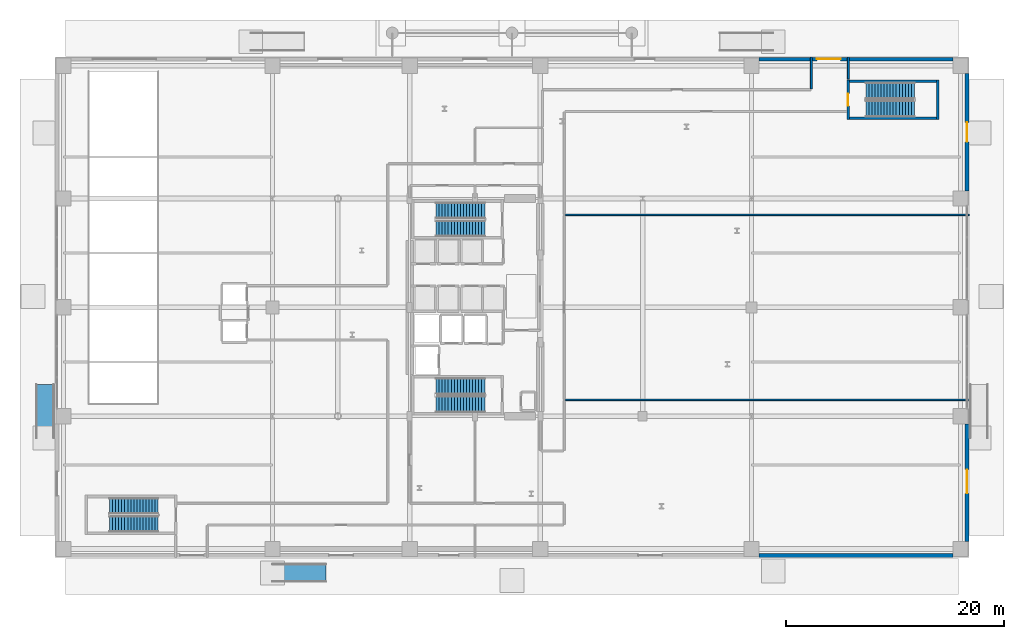
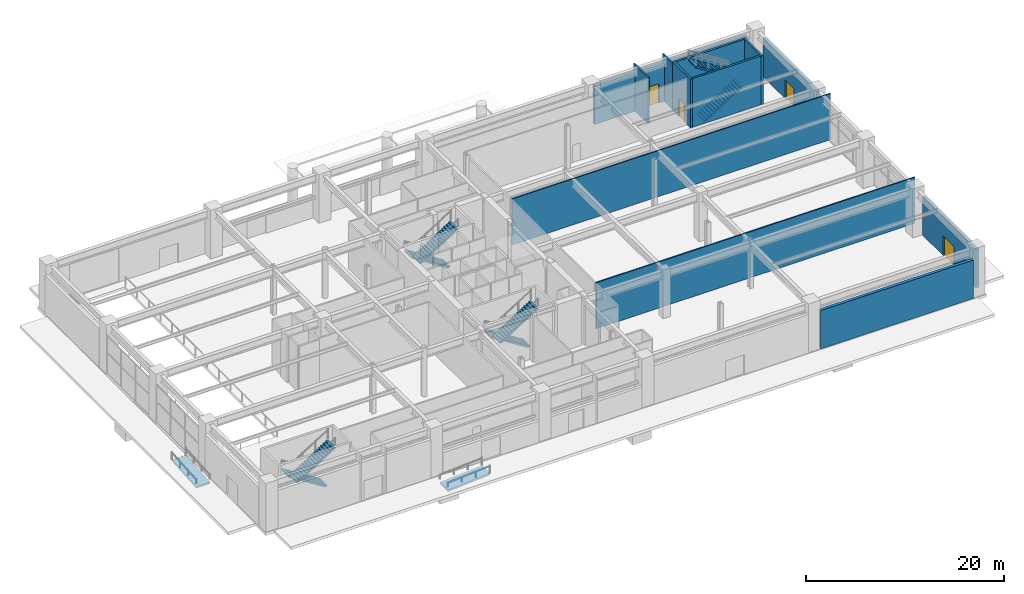
# One storey, part 23 of 31: 12 walls, 8 stair flights, 4 doors, 2 ramp flights, 4 openings, 6 elements without a shape of their own.
"""IFC4 building model written with IfcOpenShell, lengths in metres."""

from ifc_helpers import new_model, si_unit, direction, frame, frame_2d, origin, place, context, subcontext, project, spatial, polyline, rectangle, outline, extrude, material, layer, layer_set, type_object, element, fill, aggregate, save


model = new_model("IFC4")

# Units and contexts
model_context = context("Model", 3, precision=1e-05, world=origin(), true_north=direction((0.0, 1.0)))
body_context = subcontext(model_context, "Body", "Model", "MODEL_VIEW")
ifc_project = project(units=[si_unit("LENGTHUNIT", "METRE"), si_unit("AREAUNIT", "SQUARE_METRE"), si_unit("VOLUMEUNIT", "CUBIC_METRE"), si_unit("PLANEANGLEUNIT", "RADIAN"), si_unit("MASSUNIT", "GRAM", prefix="KILO")], contexts=[model_context])

# Site, building, storey
site_placement = place(None, origin())
site = spatial("IfcSite", under=ifc_project, at=site_placement, CompositionType="ELEMENT")
building_placement = place(site_placement, origin())
building = spatial("IfcBuilding", under=site, at=building_placement, Name="Soratama Intermodal Tower", CompositionType="ELEMENT")
storey_placement = place(building_placement, origin())
storey = spatial("IfcBuildingStorey", under=building, at=storey_placement, Name="L00", CompositionType="ELEMENT", Elevation=0.0)

# Wall, opening, door
ifc_material_1 = material(Name="Concrete f'c 42 MPa", Category="concrete")
ifc_layer_1 = layer(ifc_material_1, 0.340087890625)
ifc_layer_set_1 = layer_set([ifc_layer_1], Name="Concrete f'c 42 MPa")
wall_type_1 = type_object("IfcWallType", Name="EW-STONE-340", PredefinedType="SOLIDWALL", material=ifc_layer_set_1)
wall_1_placement = place(storey_placement, frame((64.699951171875, 47.800048828125, 0.0), z_axis=(0.0, 0.0, 1.0), x_axis=(1.0, 0.0, 0.0)))
wall_1 = element("IfcWall", 1, at=wall_1_placement, inside=storey, type_object=wall_type_1, Name="L00 North East Facade Wall", PredefinedType="SOLIDWALL", context=body_context, shape_type="SweptSolid", body=[
    extrude(rectangle(XDim=17.800048828125, YDim=0.340087890625, at=frame_2d((8.89990234375, 0.0))), origin(), (0.0, 0.0, 1.0), 4.736083984375),
])
opening_1_placement = place(wall_1_placement, frame((5.300048828125, 0.0, 0.0)))
opening_1 = element("IfcOpeningElement", 2, at=opening_1_placement, cuts=wall_1, Name="Opening ED-1", PredefinedType="OPENING", context=body_context, shape_type="SweptSolid", body=[
    extrude(rectangle(XDim=2.199951171875, YDim=2.39990234375, at=frame_2d((1.10009765625, 1.199951171875))), frame((0.0, 0.179931640625, 0.0), z_axis=(0.0, -1.0, 0.0), x_axis=(1.0, 0.0, 0.0)), (0.0, 0.0, 1.0), 0.360107421875),
])
ifc_material_2 = material(Name="Double-glazed aluminium door", Category="aluminium")
door_type_1 = type_object("IfcDoorType", Name="DR-EXIT-2200", OperationType="NOTDEFINED", PredefinedType="DOOR", material=ifc_material_2)
door_1_placement = place(opening_1_placement, origin())
door_1 = element("IfcDoor", 3, at=door_1_placement, inside=storey, type_object=door_type_1, Name="L00 Stair ST-4 North Exit Discharge Door", OperationType="SINGLE_SWING_LEFT", OverallHeight=2.39990234375, OverallWidth=2.199951171875, PredefinedType="DOOR", context=body_context, shape_type="SweptSolid", body=[
    extrude(rectangle(XDim=2.199951171875, YDim=2.39990234375, at=frame_2d((1.10009765625, 1.199951171875))), frame((0.0, 0.02490234375, 0.0), z_axis=(0.0, -1.0, 0.0), x_axis=(1.0, 0.0, 0.0)), (0.0, 0.0, 1.0), 0.050048828125),
])
fill(opening_1, door_1)

# Wall
wall_2_placement = place(storey_placement, frame((82.5, 2.199951171875, 0.0), z_axis=(0.0, 0.0, 1.0), x_axis=(-1.0, 0.0, 0.0)))
element("IfcWall", 4, at=wall_2_placement, inside=storey, type_object=wall_type_1, Name="L00 South East Facade Wall", PredefinedType="SOLIDWALL", context=body_context, shape_type="SweptSolid", body=[
    extrude(rectangle(XDim=17.800048828125, YDim=0.340087890625, at=frame_2d((8.89990234375, 0.0))), origin(), (0.0, 0.0, 1.0), 4.736083984375),
])

# Wall, opening, door
wall_3_placement = place(storey_placement, frame((83.800048828125, 14.300048828125, 0.0), z_axis=(0.0, 0.0, 1.0), x_axis=(0.0, -1.0, 0.0)))
wall_3 = element("IfcWall", 5, at=wall_3_placement, inside=storey, type_object=wall_type_1, Name="L00 East South Wall", PredefinedType="SOLIDWALL", context=body_context, shape_type="SweptSolid", body=[
    extrude(rectangle(XDim=10.800048828125, YDim=0.340087890625, at=frame_2d((5.39990234375, 0.0))), origin(), (0.0, 0.0, 1.0), 4.736083984375),
])
opening_2_placement = place(wall_3_placement, frame((4.199951171875, 0.0, 0.0)))
opening_2 = element("IfcOpeningElement", 6, at=opening_2_placement, cuts=wall_3, Name="Opening ED-1", PredefinedType="OPENING", context=body_context, shape_type="SweptSolid", body=[
    extrude(rectangle(XDim=2.199951171875, YDim=2.39990234375, at=frame_2d((1.10009765625, 1.199951171875))), frame((0.0, 0.179931640625, 0.0), z_axis=(0.0, -1.0, 0.0), x_axis=(1.0, 0.0, 0.0)), (0.0, 0.0, 1.0), 0.360107421875),
])
door_2_placement = place(opening_2_placement, origin())
door_2 = element("IfcDoor", 7, at=door_2_placement, inside=storey, type_object=door_type_1, Name="L00 East BRT Exit Door", OperationType="SINGLE_SWING_LEFT", OverallHeight=2.39990234375, OverallWidth=2.199951171875, PredefinedType="DOOR", context=body_context, shape_type="SweptSolid", body=[
    extrude(rectangle(XDim=2.199951171875, YDim=2.39990234375, at=frame_2d((1.10009765625, 1.199951171875))), frame((0.0, 0.02490234375, 0.0), z_axis=(0.0, -1.0, 0.0), x_axis=(1.0, 0.0, 0.0)), (0.0, 0.0, 1.0), 0.050048828125),
])
fill(opening_2, door_2)

wall_4_placement = place(storey_placement, frame((83.800048828125, 46.5, 0.0), z_axis=(0.0, 0.0, 1.0), x_axis=(0.0, -1.0, 0.0)))
wall_4 = element("IfcWall", 8, at=wall_4_placement, inside=storey, type_object=wall_type_1, Name="L00 East North Wall", PredefinedType="SOLIDWALL", context=body_context, shape_type="SweptSolid", body=[
    extrude(rectangle(XDim=10.800048828125, YDim=0.340087890625, at=frame_2d((5.39990234375, 0.0))), origin(), (0.0, 0.0, 1.0), 4.736083984375),
])
opening_3_placement = place(wall_4_placement, frame((4.5, 0.0, 0.0)))
opening_3 = element("IfcOpeningElement", 9, at=opening_3_placement, cuts=wall_4, Name="Opening ED-4", PredefinedType="OPENING", context=body_context, shape_type="SweptSolid", body=[
    extrude(rectangle(XDim=1.800048828125, YDim=2.300048828125, at=frame_2d((0.89990234375, 1.14990234375))), frame((0.0, 0.179931640625, 0.0), z_axis=(0.0, -1.0, 0.0), x_axis=(1.0, 0.0, 0.0)), (0.0, 0.0, 1.0), 0.360107421875),
])
ifc_material_3 = material(Name="Double-glazed aluminium door", Category="aluminium")
door_type_2 = type_object("IfcDoorType", Name="DR-EXIT-1800", OperationType="NOTDEFINED", PredefinedType="DOOR", material=ifc_material_3)
door_3_placement = place(opening_3_placement, origin())
door_3 = element("IfcDoor", 10, at=door_3_placement, inside=storey, type_object=door_type_2, Name="L00 East Retail Exit Door", OperationType="SINGLE_SWING_LEFT", OverallHeight=2.300048828125, OverallWidth=1.800048828125, PredefinedType="DOOR", context=body_context, shape_type="SweptSolid", body=[
    extrude(rectangle(XDim=1.800048828125, YDim=2.300048828125, at=frame_2d((0.89990234375, 1.14990234375))), frame((0.0, 0.02490234375, 0.0), z_axis=(0.0, -1.0, 0.0), x_axis=(1.0, 0.0, 0.0)), (0.0, 0.0, 1.0), 0.050048828125),
])
fill(opening_3, door_3)

# Walls
ifc_material_4 = material(Name="Fire-rated gypsum stud partition", Category="concrete")
ifc_layer_2 = layer(ifc_material_4, 0.169921875)
ifc_layer_set_2 = layer_set([ifc_layer_2], Name="Fire-rated gypsum stud partition")
wall_type_2 = type_object("IfcWallType", Name="IW-PART-R170", PredefinedType="PARTITIONING", material=ifc_layer_set_2)
wall_5_placement = place(storey_placement, frame((69.5, 45.070068359375, 0.0), z_axis=(0.0, 0.0, 1.0), x_axis=(0.0, 1.0, 0.0)))
element("IfcWall", 11, at=wall_5_placement, inside=storey, type_object=wall_type_2, Name="L00 Partition W-L00-TP031", PredefinedType="PARTITIONING", context=body_context, shape_type="SweptSolid", body=[
    extrude(rectangle(XDim=2.929931640625, YDim=0.169921875, at=frame_2d((1.46484375, 0.0))), origin(), (0.0, 0.0, 1.0), 5.679931640625),
])
wall_6_placement = place(storey_placement, frame((72.89990234375, 48.0, 0.0), z_axis=(0.0, 0.0, 1.0), x_axis=(0.0, -1.0, 0.0)))
element("IfcWall", 12, at=wall_6_placement, inside=storey, type_object=wall_type_2, Name="L00 Partition W-L00-TP035", PredefinedType="PARTITIONING", context=body_context, shape_type="SweptSolid", body=[
    extrude(rectangle(XDim=2.030029296875, YDim=0.169921875, at=frame_2d((1.01513671875, 0.0))), origin(), (0.0, 0.0, 1.0), 5.679931640625),
])
ifc_material_5 = material(Name="Fire-rated gypsum stud partition", Category="concrete")
ifc_layer_3 = layer(ifc_material_5, 0.1298828125)
ifc_layer_set_3 = layer_set([ifc_layer_3], Name="Fire-rated gypsum stud partition")
wall_type_3 = type_object("IfcWallType", Name="IW-PART-S130", PredefinedType="PARTITIONING", material=ifc_layer_set_3)
wall_7_placement = place(storey_placement, frame((46.8701171875, 33.5, 0.0), z_axis=(0.0, 0.0, 1.0), x_axis=(1.0, 0.0, 0.0)))
element("IfcWall", 13, at=wall_7_placement, inside=storey, type_object=wall_type_3, Name="L00 Partition W-L00-TP002", PredefinedType="PARTITIONING", context=body_context, shape_type="SweptSolid", body=[
    extrude(rectangle(XDim=37.1298828125, YDim=0.1298828125, at=frame_2d((18.56494140625, 0.0))), origin(), (0.0, 0.0, 1.0), 5.679931640625),
])
ifc_material_6 = material(Name="Fire-rated gypsum stud partition", Category="concrete")
ifc_layer_4 = layer(ifc_material_6, 0.139892578125)
ifc_layer_set_4 = layer_set([ifc_layer_4], Name="Fire-rated gypsum stud partition")
wall_type_4 = type_object("IfcWallType", Name="IW-PART-S140", PredefinedType="PARTITIONING", material=ifc_layer_set_4)
wall_8_placement = place(storey_placement, frame((46.8701171875, 16.5, 0.0), z_axis=(0.0, 0.0, 1.0), x_axis=(1.0, 0.0, 0.0)))
element("IfcWall", 14, at=wall_8_placement, inside=storey, type_object=wall_type_4, Name="L00 Partition W-L00-TP001", PredefinedType="PARTITIONING", context=body_context, shape_type="SweptSolid", body=[
    extrude(rectangle(XDim=37.1298828125, YDim=0.139892578125, at=frame_2d((18.56494140625, 0.0))), origin(), (0.0, 0.0, 1.0), 5.679931640625),
])

# Wall, opening, door
ifc_material_7 = material(Name="Concrete f'c 56 MPa", Category="concrete")
ifc_layer_5 = layer(ifc_material_7, 0.239990234375)
ifc_layer_set_5 = layer_set([ifc_layer_5], Name="Concrete f'c 56 MPa")
wall_type_5 = type_object("IfcWallType", Name="SW-STAIR-240", PredefinedType="SHEAR", material=ifc_layer_set_5)
wall_9_placement = place(storey_placement, frame((72.8798828125, 42.260009765625, 0.0), z_axis=(0.0, 0.0, 1.0), x_axis=(0.0, 1.0, 0.0)))
wall_9 = element("IfcWall", 15, at=wall_9_placement, inside=storey, type_object=wall_type_5, Name="L00 ST-4 Shaft Shear Wall W", PredefinedType="SHEAR", context=body_context, shape_type="SweptSolid", body=[
    extrude(rectangle(XDim=3.6298828125, YDim=0.239990234375, at=frame_2d((1.81494140625, 0.0))), origin(), (0.0, 0.0, 1.0), 6.0),
])
opening_4_placement = place(wall_9_placement, frame((1.2548828125, 0.0, 0.0)))
opening_4 = element("IfcOpeningElement", 16, at=opening_4_placement, cuts=wall_9, Name="Opening SD-1", PredefinedType="OPENING", context=body_context, shape_type="SweptSolid", body=[
    extrude(rectangle(XDim=1.1201171875, YDim=2.14990234375, at=frame_2d((0.56005859375, 1.074951171875))), frame((0.0, 0.1298828125, 0.0), z_axis=(0.0, -1.0, 0.0), x_axis=(1.0, 0.0, 0.0)), (0.0, 0.0, 1.0), 0.260009765625),
])
ifc_material_8 = material(Name="Steel fire door", Category="steel")
door_type_3 = type_object("IfcDoorType", Name="DR-STAIR-FD90", OperationType="NOTDEFINED", PredefinedType="DOOR", material=ifc_material_8)
door_4_placement = place(opening_4_placement, origin())
door_4 = element("IfcDoor", 17, at=door_4_placement, inside=storey, type_object=door_type_3, Name="L00 ST-4 Exit Stair Door", OperationType="SINGLE_SWING_RIGHT", OverallHeight=2.14990234375, OverallWidth=1.1201171875, PredefinedType="DOOR", context=body_context, shape_type="SweptSolid", body=[
    extrude(rectangle(XDim=1.1201171875, YDim=2.14990234375, at=frame_2d((0.56005859375, 1.074951171875))), frame((0.0, 0.02490234375, 0.0), z_axis=(0.0, -1.0, 0.0), x_axis=(1.0, 0.0, 0.0)), (0.0, 0.0, 1.0), 0.050048828125),
])
fill(opening_4, door_4)

# Walls
wall_10_placement = place(storey_placement, frame((81.1201171875, 42.260009765625, 0.0), z_axis=(0.0, 0.0, 1.0), x_axis=(0.0, 1.0, 0.0)))
element("IfcWall", 18, at=wall_10_placement, inside=storey, type_object=wall_type_5, Name="L00 ST-4 Shaft Shear Wall E", PredefinedType="SHEAR", context=body_context, shape_type="SweptSolid", body=[
    extrude(rectangle(XDim=3.6298828125, YDim=0.239990234375, at=frame_2d((1.81494140625, 0.0))), origin(), (0.0, 0.0, 1.0), 6.0),
])
for number, where, z_axis, x_axis, name in (
    (19, (73.0, 42.3798828125, 0.0), (0.0, 0.0, 1.0), (1.0, 0.0, 0.0), "L00 ST-4 Shaft Shear Wall S"),
    (20, (73.0, 45.77001953125, 0.0), (0.0, 0.0, 1.0), (1.0, 0.0, 0.0), "L00 ST-4 Shaft Shear Wall N"),
):
    element("IfcWall", number, at=place(storey_placement, frame(where, z_axis=z_axis, x_axis=x_axis)), inside=storey, type_object=wall_type_5, Name=name, PredefinedType="SHEAR", context=body_context, shape_type="SweptSolid", body=[
        extrude(rectangle(XDim=8.0, YDim=0.239990234375, at=frame_2d((4.0, 0.0))), origin(), (0.0, 0.0, 1.0), 6.0),
    ])

# Stair, stair flights
ifc_material_9 = material(Name="Concrete f'c 42 MPa", Category="concrete")
stair_type = type_object("IfcStairType", Name="ST-CORE-DOGLEG", PredefinedType="HALF_TURN_STAIR", material=ifc_material_9)
stair_1_placement = place(storey_placement, origin())
stair_1 = element("IfcStair", 21, at=stair_1_placement, inside=storey, type_object=stair_type, Name="L00 ST-1", PredefinedType="HALF_TURN_STAIR")
ifc_material_10 = material(Name="Precast concrete f'c 40 MPa", Category="concrete")
ifc_layer_6 = layer(ifc_material_10, 0.199951171875)
ifc_layer_set_6 = layer_set([ifc_layer_6], Name="Precast concrete f'c 40 MPa")
stair_flight_type = type_object("IfcStairFlightType", Name="SF-FLIGHT-RC", PredefinedType="STRAIGHT", material=ifc_layer_set_6)
stair_flight_1_placement = place(storey_placement, frame((39.5, 17.75, 0.0), z_axis=(0.0, 0.0, 1.0), x_axis=(-1.0, 0.0, 0.0)))
stair_flight_1 = element("IfcStairFlight", 22, at=stair_flight_1_placement, type_object=stair_flight_type, Name="ST-1 flight 1", NumberOfRisers=17, NumberOfTreads=16, PredefinedType="STRAIGHT", RiserHeight=0.176470588, TreadLength=0.28, context=body_context, shape_type="SweptSolid", body=[
    extrude(outline(polyline([(0.0, 0.0), (0.0, 0.176513671875), (0.280029296875, 0.176513671875), (0.280029296875, 0.35302734375), (0.56005859375, 0.35302734375), (0.56005859375, 0.529296875), (0.840087890625, 0.529296875), (0.840087890625, 0.705810546875), (1.1201171875, 0.705810546875), (1.1201171875, 0.88232421875), (1.39990234375, 0.88232421875), (1.39990234375, 1.058837890625), (1.679931640625, 1.058837890625), (1.679931640625, 1.2353515625), (1.9599609375, 1.2353515625), (1.9599609375, 1.411865234375), (2.239990234375, 1.411865234375), (2.239990234375, 1.588134765625), (2.52001953125, 1.588134765625), (2.52001953125, 1.7646484375), (2.800048828125, 1.7646484375), (2.800048828125, 1.941162109375), (3.080078125, 1.941162109375), (3.080078125, 2.11767578125), (3.360107421875, 2.11767578125), (3.360107421875, 2.294189453125), (3.639892578125, 2.294189453125), (3.639892578125, 2.470703125), (3.919921875, 2.470703125), (3.919921875, 2.64697265625), (4.199951171875, 2.64697265625), (4.199951171875, 2.823486328125), (4.47998046875, 2.823486328125), (4.47998046875, 3.0), (4.47998046875, 2.646240234375), (0.28125, 0.0), (0.0, 0.0)])), frame((0.0, 0.75, 0.0), z_axis=(0.0, -1.0, 0.0), x_axis=(1.0, 0.0, 0.0)), (0.0, 0.0, 1.0), 1.5),
])
stair_flight_2_placement = place(storey_placement, frame((35.02001953125, 16.10009765625, 3.0), z_axis=(0.0, 0.0, 1.0), x_axis=(1.0, 0.0, 0.0)))
stair_flight_2 = element("IfcStairFlight", 23, at=stair_flight_2_placement, type_object=stair_flight_type, Name="ST-1 flight 2", NumberOfRisers=17, NumberOfTreads=16, PredefinedType="STRAIGHT", RiserHeight=0.176470588, TreadLength=0.28, context=body_context, shape_type="SweptSolid", body=[
    extrude(outline(polyline([(0.0, 0.0), (0.0, 0.176513671875), (0.280029296875, 0.176513671875), (0.280029296875, 0.35302734375), (0.56005859375, 0.35302734375), (0.56005859375, 0.529296875), (0.840087890625, 0.529296875), (0.840087890625, 0.705810546875), (1.1201171875, 0.705810546875), (1.1201171875, 0.88232421875), (1.39990234375, 0.88232421875), (1.39990234375, 1.058837890625), (1.679931640625, 1.058837890625), (1.679931640625, 1.2353515625), (1.9599609375, 1.2353515625), (1.9599609375, 1.411865234375), (2.239990234375, 1.411865234375), (2.239990234375, 1.588134765625), (2.52001953125, 1.588134765625), (2.52001953125, 1.7646484375), (2.800048828125, 1.7646484375), (2.800048828125, 1.941162109375), (3.080078125, 1.941162109375), (3.080078125, 2.11767578125), (3.360107421875, 2.11767578125), (3.360107421875, 2.294189453125), (3.639892578125, 2.294189453125), (3.639892578125, 2.470703125), (3.919921875, 2.470703125), (3.919921875, 2.64697265625), (4.199951171875, 2.64697265625), (4.199951171875, 2.823486328125), (4.47998046875, 2.823486328125), (4.47998046875, 3.0), (4.47998046875, 2.646240234375), (0.28125, 0.0), (0.0, 0.0)])), frame((0.0, 0.75, 0.0), z_axis=(0.0, -1.0, 0.0), x_axis=(1.0, 0.0, 0.0)), (0.0, 0.0, 1.0), 1.5),
])
aggregate(stair_1, [stair_flight_1, stair_flight_2])

stair_2_placement = place(storey_placement, origin())
stair_2 = element("IfcStair", 24, at=stair_2_placement, inside=storey, type_object=stair_type, Name="L00 ST-2", PredefinedType="HALF_TURN_STAIR")
stair_flight_3_placement = place(storey_placement, frame((39.5, 33.89990234375, 0.0), z_axis=(0.0, 0.0, 1.0), x_axis=(-1.0, 0.0, 0.0)))
stair_flight_3 = element("IfcStairFlight", 25, at=stair_flight_3_placement, type_object=stair_flight_type, Name="ST-2 flight 1", NumberOfRisers=17, NumberOfTreads=16, PredefinedType="STRAIGHT", RiserHeight=0.176470588, TreadLength=0.28, context=body_context, shape_type="SweptSolid", body=[
    extrude(outline(polyline([(0.0, 0.0), (0.0, 0.176513671875), (0.280029296875, 0.176513671875), (0.280029296875, 0.35302734375), (0.56005859375, 0.35302734375), (0.56005859375, 0.529296875), (0.840087890625, 0.529296875), (0.840087890625, 0.705810546875), (1.1201171875, 0.705810546875), (1.1201171875, 0.88232421875), (1.39990234375, 0.88232421875), (1.39990234375, 1.058837890625), (1.679931640625, 1.058837890625), (1.679931640625, 1.2353515625), (1.9599609375, 1.2353515625), (1.9599609375, 1.411865234375), (2.239990234375, 1.411865234375), (2.239990234375, 1.588134765625), (2.52001953125, 1.588134765625), (2.52001953125, 1.7646484375), (2.800048828125, 1.7646484375), (2.800048828125, 1.941162109375), (3.080078125, 1.941162109375), (3.080078125, 2.11767578125), (3.360107421875, 2.11767578125), (3.360107421875, 2.294189453125), (3.639892578125, 2.294189453125), (3.639892578125, 2.470703125), (3.919921875, 2.470703125), (3.919921875, 2.64697265625), (4.199951171875, 2.64697265625), (4.199951171875, 2.823486328125), (4.47998046875, 2.823486328125), (4.47998046875, 3.0), (4.47998046875, 2.646240234375), (0.28125, 0.0), (0.0, 0.0)])), frame((0.0, 0.75, 0.0), z_axis=(0.0, -1.0, 0.0), x_axis=(1.0, 0.0, 0.0)), (0.0, 0.0, 1.0), 1.5),
])
stair_flight_4_placement = place(storey_placement, frame((35.02001953125, 32.25, 3.0), z_axis=(0.0, 0.0, 1.0), x_axis=(1.0, 0.0, 0.0)))
stair_flight_4 = element("IfcStairFlight", 26, at=stair_flight_4_placement, type_object=stair_flight_type, Name="ST-2 flight 2", NumberOfRisers=17, NumberOfTreads=16, PredefinedType="STRAIGHT", RiserHeight=0.176470588, TreadLength=0.28, context=body_context, shape_type="SweptSolid", body=[
    extrude(outline(polyline([(0.0, 0.0), (0.0, 0.176513671875), (0.280029296875, 0.176513671875), (0.280029296875, 0.35302734375), (0.56005859375, 0.35302734375), (0.56005859375, 0.529296875), (0.840087890625, 0.529296875), (0.840087890625, 0.705810546875), (1.1201171875, 0.705810546875), (1.1201171875, 0.88232421875), (1.39990234375, 0.88232421875), (1.39990234375, 1.058837890625), (1.679931640625, 1.058837890625), (1.679931640625, 1.2353515625), (1.9599609375, 1.2353515625), (1.9599609375, 1.411865234375), (2.239990234375, 1.411865234375), (2.239990234375, 1.588134765625), (2.52001953125, 1.588134765625), (2.52001953125, 1.7646484375), (2.800048828125, 1.7646484375), (2.800048828125, 1.941162109375), (3.080078125, 1.941162109375), (3.080078125, 2.11767578125), (3.360107421875, 2.11767578125), (3.360107421875, 2.294189453125), (3.639892578125, 2.294189453125), (3.639892578125, 2.470703125), (3.919921875, 2.470703125), (3.919921875, 2.64697265625), (4.199951171875, 2.64697265625), (4.199951171875, 2.823486328125), (4.47998046875, 2.823486328125), (4.47998046875, 3.0), (4.47998046875, 2.646240234375), (0.28125, 0.0), (0.0, 0.0)])), frame((0.0, 0.75, 0.0), z_axis=(0.0, -1.0, 0.0), x_axis=(1.0, 0.0, 0.0)), (0.0, 0.0, 1.0), 1.5),
])
aggregate(stair_2, [stair_flight_3, stair_flight_4])

stair_3_placement = place(storey_placement, origin())
stair_3 = element("IfcStair", 27, at=stair_3_placement, inside=storey, type_object=stair_type, Name="L00 ST-3", PredefinedType="HALF_TURN_STAIR")
stair_flight_5_placement = place(storey_placement, frame((9.5, 6.75, 0.0), z_axis=(0.0, 0.0, 1.0), x_axis=(-1.0, 0.0, 0.0)))
stair_flight_5 = element("IfcStairFlight", 28, at=stair_flight_5_placement, type_object=stair_flight_type, Name="ST-3 flight 1", NumberOfRisers=17, NumberOfTreads=16, PredefinedType="STRAIGHT", RiserHeight=0.176470588, TreadLength=0.28, context=body_context, shape_type="SweptSolid", body=[
    extrude(outline(polyline([(0.0, 0.0), (0.0, 0.176513671875), (0.280029296875, 0.176513671875), (0.280029296875, 0.35302734375), (0.56005859375, 0.35302734375), (0.56005859375, 0.529296875), (0.840087890625, 0.529296875), (0.840087890625, 0.705810546875), (1.1201171875, 0.705810546875), (1.1201171875, 0.88232421875), (1.39990234375, 0.88232421875), (1.39990234375, 1.058837890625), (1.679931640625, 1.058837890625), (1.679931640625, 1.2353515625), (1.9599609375, 1.2353515625), (1.9599609375, 1.411865234375), (2.239990234375, 1.411865234375), (2.239990234375, 1.588134765625), (2.52001953125, 1.588134765625), (2.52001953125, 1.7646484375), (2.800048828125, 1.7646484375), (2.800048828125, 1.941162109375), (3.080078125, 1.941162109375), (3.080078125, 2.11767578125), (3.360107421875, 2.11767578125), (3.360107421875, 2.294189453125), (3.639892578125, 2.294189453125), (3.639892578125, 2.470703125), (3.919921875, 2.470703125), (3.919921875, 2.64697265625), (4.199951171875, 2.64697265625), (4.199951171875, 2.823486328125), (4.47998046875, 2.823486328125), (4.47998046875, 3.0), (4.47998046875, 2.646240234375), (0.28125, 0.0), (0.0, 0.0)])), frame((0.0, 0.75, 0.0), z_axis=(0.0, -1.0, 0.0), x_axis=(1.0, 0.0, 0.0)), (0.0, 0.0, 1.0), 1.5),
])
stair_flight_6_placement = place(storey_placement, frame((5.02001953125, 5.10009765625, 3.0), z_axis=(0.0, 0.0, 1.0), x_axis=(1.0, 0.0, 0.0)))
stair_flight_6 = element("IfcStairFlight", 29, at=stair_flight_6_placement, type_object=stair_flight_type, Name="ST-3 flight 2", NumberOfRisers=17, NumberOfTreads=16, PredefinedType="STRAIGHT", RiserHeight=0.176470588, TreadLength=0.28, context=body_context, shape_type="SweptSolid", body=[
    extrude(outline(polyline([(0.0, 0.0), (0.0, 0.176513671875), (0.280029296875, 0.176513671875), (0.280029296875, 0.35302734375), (0.56005859375, 0.35302734375), (0.56005859375, 0.529296875), (0.840087890625, 0.529296875), (0.840087890625, 0.705810546875), (1.1201171875, 0.705810546875), (1.1201171875, 0.88232421875), (1.39990234375, 0.88232421875), (1.39990234375, 1.058837890625), (1.679931640625, 1.058837890625), (1.679931640625, 1.2353515625), (1.9599609375, 1.2353515625), (1.9599609375, 1.411865234375), (2.239990234375, 1.411865234375), (2.239990234375, 1.588134765625), (2.52001953125, 1.588134765625), (2.52001953125, 1.7646484375), (2.800048828125, 1.7646484375), (2.800048828125, 1.941162109375), (3.080078125, 1.941162109375), (3.080078125, 2.11767578125), (3.360107421875, 2.11767578125), (3.360107421875, 2.294189453125), (3.639892578125, 2.294189453125), (3.639892578125, 2.470703125), (3.919921875, 2.470703125), (3.919921875, 2.64697265625), (4.199951171875, 2.64697265625), (4.199951171875, 2.823486328125), (4.47998046875, 2.823486328125), (4.47998046875, 3.0), (4.47998046875, 2.646240234375), (0.28125, 0.0), (0.0, 0.0)])), frame((0.0, 0.75, 0.0), z_axis=(0.0, -1.0, 0.0), x_axis=(1.0, 0.0, 0.0)), (0.0, 0.0, 1.0), 1.5),
])
aggregate(stair_3, [stair_flight_5, stair_flight_6])

stair_4_placement = place(storey_placement, origin())
stair_4 = element("IfcStair", 30, at=stair_4_placement, inside=storey, type_object=stair_type, Name="L00 ST-4", PredefinedType="HALF_TURN_STAIR")
stair_flight_7_placement = place(storey_placement, frame((74.5, 43.25, 0.0), z_axis=(0.0, 0.0, 1.0), x_axis=(1.0, 0.0, 0.0)))
stair_flight_7 = element("IfcStairFlight", 31, at=stair_flight_7_placement, type_object=stair_flight_type, Name="ST-4 flight 1", NumberOfRisers=17, NumberOfTreads=16, PredefinedType="STRAIGHT", RiserHeight=0.176470588, TreadLength=0.28, context=body_context, shape_type="SweptSolid", body=[
    extrude(outline(polyline([(0.0, 0.0), (0.0, 0.176513671875), (0.280029296875, 0.176513671875), (0.280029296875, 0.35302734375), (0.56005859375, 0.35302734375), (0.56005859375, 0.529296875), (0.840087890625, 0.529296875), (0.840087890625, 0.705810546875), (1.1201171875, 0.705810546875), (1.1201171875, 0.88232421875), (1.39990234375, 0.88232421875), (1.39990234375, 1.058837890625), (1.679931640625, 1.058837890625), (1.679931640625, 1.2353515625), (1.9599609375, 1.2353515625), (1.9599609375, 1.411865234375), (2.239990234375, 1.411865234375), (2.239990234375, 1.588134765625), (2.52001953125, 1.588134765625), (2.52001953125, 1.7646484375), (2.800048828125, 1.7646484375), (2.800048828125, 1.941162109375), (3.080078125, 1.941162109375), (3.080078125, 2.11767578125), (3.360107421875, 2.11767578125), (3.360107421875, 2.294189453125), (3.639892578125, 2.294189453125), (3.639892578125, 2.470703125), (3.919921875, 2.470703125), (3.919921875, 2.64697265625), (4.199951171875, 2.64697265625), (4.199951171875, 2.823486328125), (4.47998046875, 2.823486328125), (4.47998046875, 3.0), (4.47998046875, 2.646240234375), (0.28125, 0.0), (0.0, 0.0)])), frame((0.0, 0.75, 0.0), z_axis=(0.0, -1.0, 0.0), x_axis=(1.0, 0.0, 0.0)), (0.0, 0.0, 1.0), 1.5),
])
stair_flight_8_placement = place(storey_placement, frame((78.97998046875, 44.89990234375, 3.0), z_axis=(0.0, 0.0, 1.0), x_axis=(-1.0, 0.0, 0.0)))
stair_flight_8 = element("IfcStairFlight", 32, at=stair_flight_8_placement, type_object=stair_flight_type, Name="ST-4 flight 2", NumberOfRisers=17, NumberOfTreads=16, PredefinedType="STRAIGHT", RiserHeight=0.176470588, TreadLength=0.28, context=body_context, shape_type="SweptSolid", body=[
    extrude(outline(polyline([(0.0, 0.0), (0.0, 0.176513671875), (0.280029296875, 0.176513671875), (0.280029296875, 0.35302734375), (0.56005859375, 0.35302734375), (0.56005859375, 0.529296875), (0.840087890625, 0.529296875), (0.840087890625, 0.705810546875), (1.1201171875, 0.705810546875), (1.1201171875, 0.88232421875), (1.39990234375, 0.88232421875), (1.39990234375, 1.058837890625), (1.679931640625, 1.058837890625), (1.679931640625, 1.2353515625), (1.9599609375, 1.2353515625), (1.9599609375, 1.411865234375), (2.239990234375, 1.411865234375), (2.239990234375, 1.588134765625), (2.52001953125, 1.588134765625), (2.52001953125, 1.7646484375), (2.800048828125, 1.7646484375), (2.800048828125, 1.941162109375), (3.080078125, 1.941162109375), (3.080078125, 2.11767578125), (3.360107421875, 2.11767578125), (3.360107421875, 2.294189453125), (3.639892578125, 2.294189453125), (3.639892578125, 2.470703125), (3.919921875, 2.470703125), (3.919921875, 2.64697265625), (4.199951171875, 2.64697265625), (4.199951171875, 2.823486328125), (4.47998046875, 2.823486328125), (4.47998046875, 3.0), (4.47998046875, 2.646240234375), (0.28125, 0.0), (0.0, 0.0)])), frame((0.0, 0.75, 0.0), z_axis=(0.0, -1.0, 0.0), x_axis=(1.0, 0.0, 0.0)), (0.0, 0.0, 1.0), 1.5),
])
aggregate(stair_4, [stair_flight_7, stair_flight_8])

# Ramp, ramp flight
ifc_material_11 = material(Name="Concrete f'c 42 MPa", Category="concrete")
ramp_type = type_object("IfcRampType", Name="RM-ACC-PED", PredefinedType="STRAIGHT_RUN_RAMP", material=ifc_material_11)
ramp_1_placement = place(storey_placement, origin())
ramp_1 = element("IfcRamp", 33, at=ramp_1_placement, inside=storey, type_object=ramp_type, Name="L00 Accessible Plaza Ramp S1", PredefinedType="STRAIGHT_RUN_RAMP")
ifc_material_12 = material(Name="Concrete f'c 42 MPa", Category="concrete")
ifc_layer_7 = layer(ifc_material_12, 0.219970703125)
ifc_layer_set_7 = layer_set([ifc_layer_7], Name="Concrete f'c 42 MPa")
ramp_flight_type = type_object("IfcRampFlightType", Name="RF-ACC-FLIGHT", PredefinedType="STRAIGHT", material=ifc_layer_set_7)
ramp_flight_1_placement = place(storey_placement, frame((20.0, -0.199951171875, -0.35009765625), z_axis=(-0.071268241387, 0.0, 0.997457185933), x_axis=(0.0, 1.0, 0.0)))
ramp_flight_1 = element("IfcRampFlight", 34, at=ramp_flight_1_placement, type_object=ramp_flight_type, Name="L00 Accessible Ramp Flight S1", PredefinedType="STRAIGHT", context=body_context, shape_type="SweptSolid", body=[
    extrude(outline(polyline([(0.0, 0.0), (1.599853515625, 0.0), (1.599853515625, -4.912393647418587), (0.0, -4.912393647418587), (0.0, 0.0)])), origin(), (0.0, 0.0, -1.0), 0.219970703125),
])
aggregate(ramp_1, [ramp_flight_1])

ramp_2_placement = place(storey_placement, origin())
ramp_2 = element("IfcRamp", 35, at=ramp_2_placement, inside=storey, type_object=ramp_type, Name="L00 Accessible Plaza Ramp W1", PredefinedType="STRAIGHT_RUN_RAMP")
ramp_flight_2_placement = place(storey_placement, frame((-1.699951171875, 13.0, -0.35009765625), z_axis=(0.0, -0.071268241387, 0.997457185933), x_axis=(1.0, 0.0, 0.0)))
ramp_flight_2 = element("IfcRampFlight", 36, at=ramp_flight_2_placement, type_object=ramp_flight_type, Name="L00 Accessible Ramp Flight W1", PredefinedType="STRAIGHT", context=body_context, shape_type="SweptSolid", body=[
    extrude(outline(polyline([(0.0, 0.0), (1.599853515625, 0.0), (1.599853515625, 4.912393647418587), (0.0, 4.912393647418587), (0.0, 0.0)])), origin(), (0.0, 0.0, -1.0), 0.219970703125),
])
aggregate(ramp_2, [ramp_flight_2])

save(model, "model.ifc")
